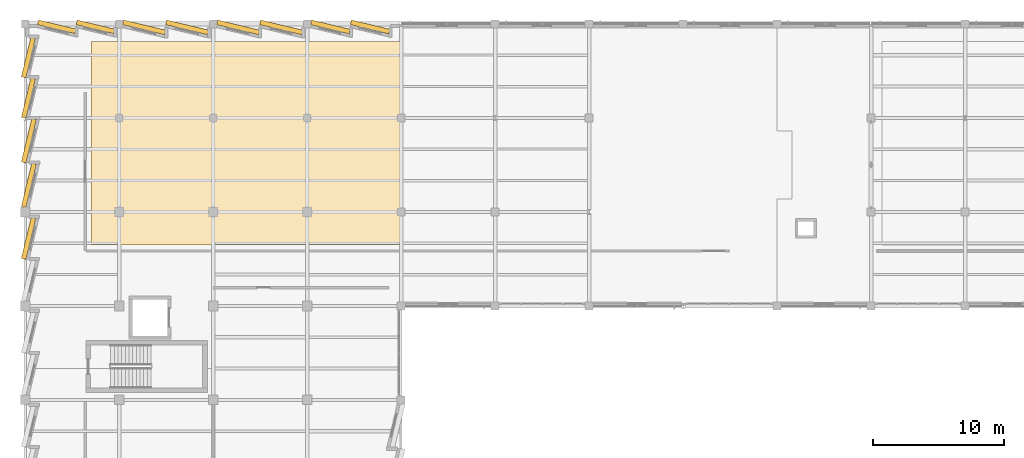
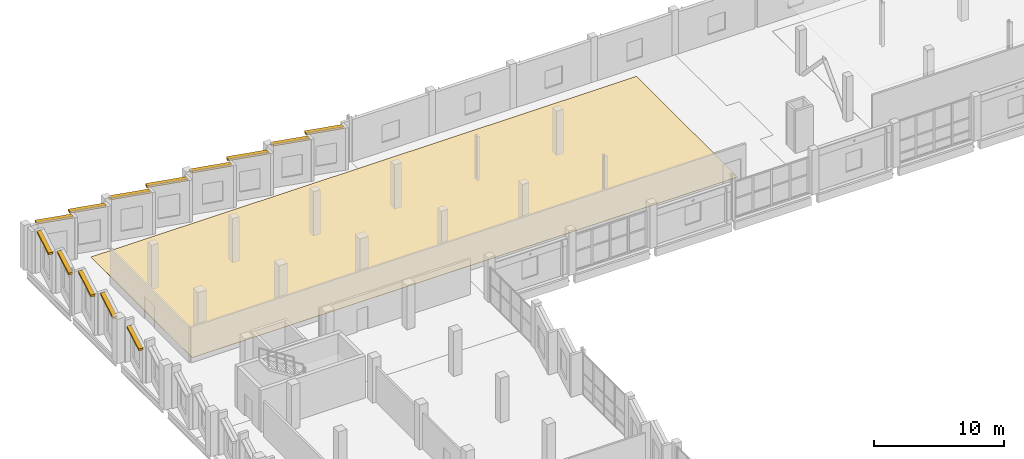
# One storey, part 88 of 94: 13 shading devices, 1 covering.
"""IFC4 building model written with IfcOpenShell, lengths in metres."""

from ifc_helpers import new_model, si_unit, direction, frame, origin, origin_2d, place, context, subcontext, project, spatial, polyline, rectangle, outline, extrude, material, layer, layer_set, type_object, element, save


model = new_model("IFC4")

# Units and contexts
model_context = context("Model", 3, precision=1e-05, world=origin(), true_north=direction((0.0, 1.0)))
body_context = subcontext(model_context, "Body", "Model", "MODEL_VIEW")
ifc_project = project(units=[si_unit("LENGTHUNIT", "METRE"), si_unit("AREAUNIT", "SQUARE_METRE"), si_unit("VOLUMEUNIT", "CUBIC_METRE"), si_unit("PLANEANGLEUNIT", "RADIAN"), si_unit("MASSUNIT", "GRAM", prefix="KILO")], contexts=[model_context])

# Site, building, storey
site_placement = place(None, origin())
site = spatial("IfcSite", under=ifc_project, at=site_placement, CompositionType="ELEMENT")
building_placement = place(site_placement, origin())
building = spatial("IfcBuilding", under=site, at=building_placement, Name="Kalmorath City Hall", CompositionType="ELEMENT")
storey_placement = place(building_placement, frame((0.0, 0.0, 14.699951171875)))
storey = spatial("IfcBuildingStorey", under=building, at=storey_placement, Name="L03", CompositionType="ELEMENT", Elevation=14.699951171875)

# Covering
ifc_material_1 = material(Name="Polished terrazzo finish")
ifc_layer_1 = layer(ifc_material_1, 0.034912109375)
ifc_layer_set_1 = layer_set([ifc_layer_1], Name="Polished terrazzo finish")
covering_type = type_object("IfcCoveringType", Name="Polished civic terrazzo floor finish 35", PredefinedType="FLOORING", material=ifc_layer_set_1)
covering_placement = place(storey_placement, origin())
element("IfcCovering", 1, at=covering_placement, inside=storey, type_object=covering_type, Name="L03 Zoning Board of Appeals Hearing Room terrazzo flooring", PredefinedType="FLOORING", context=body_context, shape_type="SweptSolid", body=[
    extrude(outline(polyline([(5.050048828125, 113.85009765625), (53.550048828125, 113.85009765625), (53.550048828125, 98.25), (5.050048828125, 98.25), (5.050048828125, 113.85009765625)])), origin(), (0.0, 0.0, 1.0), 0.03515625),
])

# Shading devices
ifc_material_2 = material(Name="Precast concrete C40/50", Category="concrete")
ifc_layer_2 = layer(ifc_material_2, 0.179931640625)
ifc_layer_set_2 = layer_set([ifc_layer_2], Name="Precast concrete C40/50")
shading_device_type = type_object("IfcShadingDeviceType", Name="Precast sawtooth brow sunshade 350", PredefinedType="USERDEFINED", material=ifc_layer_set_2)
shading_device_placement = place(storey_placement, frame((0.255859375, 98.765869140625, 3.15625), z_axis=(0.0, 0.0, 1.0), x_axis=(0.233445363856, 0.972369920398, 0.0)))
element("IfcShadingDevice", 2, at=shading_device_placement, inside=storey, type_object=shading_device_type, Name="L03 precast sawtooth hood #309", ObjectType="SUNSHADE", PredefinedType="USERDEFINED", context=body_context, shape_type="SweptSolid", body=[
    extrude(rectangle(XDim=3.220703125, YDim=0.360107421875, at=origin_2d()), origin(), (0.0, 0.0, 1.0), 0.179931640625),
])
for number, where, z_axis, x_axis, name in (
    (3, (0.278564453125, 102.835693359375, 3.740234375), (0.0, 0.0, 1.0), (0.233428392764, 0.97237399464, 0.0), "L03 precast sawtooth hood #310"),
    (4, (0.278564453125, 106.247802734375, 3.740234375), (0.0, 0.0, 1.0), (0.233428392764, 0.97237399464, 0.0), "L03 precast sawtooth hood #311"),
):
    element("IfcShadingDevice", number, at=place(storey_placement, frame(where, z_axis=z_axis, x_axis=x_axis)), inside=storey, type_object=shading_device_type, Name=name, ObjectType="SUNSHADE", PredefinedType="USERDEFINED", context=body_context, shape_type="SweptSolid", body=[
        extrude(rectangle(XDim=3.413818359375, YDim=0.360107421875, at=origin_2d()), origin(), (0.0, 0.0, 1.0), 0.179931640625),
    ])
for number, where, z_axis, x_axis, name in (
    (5, (0.2421875, 109.508544921875, 3.740234375), (0.0, 0.0, 1.0), (0.233445363856, 0.972369920398, 0.0), "L03 precast sawtooth hood #312"),
    (6, (0.2421875, 112.6181640625, 3.740234375), (0.0, 0.0, 1.0), (0.233445363856, 0.972369920398, 0.0), "L03 precast sawtooth hood #313"),
):
    element("IfcShadingDevice", number, at=place(storey_placement, frame(where, z_axis=z_axis, x_axis=x_axis)), inside=storey, type_object=shading_device_type, Name=name, ObjectType="SUNSHADE", PredefinedType="USERDEFINED", context=body_context, shape_type="SweptSolid", body=[
        extrude(rectangle(XDim=3.102783203125, YDim=0.360107421875, at=origin_2d()), origin(), (0.0, 0.0, 1.0), 0.179931640625),
    ])
for number, where, z_axis, x_axis, name in (
    (7, (2.414306640625, 114.975830078125, 3.740234375), (0.0, 0.0, 1.0), (0.972369920398, -0.233445363856, 0.0), "L03 precast sawtooth hood #314"),
    (8, (5.373291015625, 114.975830078125, 3.740234375), (0.0, 0.0, 1.0), (0.972369920398, -0.233445363856, 0.0), "L03 precast sawtooth hood #315"),
):
    element("IfcShadingDevice", number, at=place(storey_placement, frame(where, z_axis=z_axis, x_axis=x_axis)), inside=storey, type_object=shading_device_type, Name=name, ObjectType="SUNSHADE", PredefinedType="USERDEFINED", context=body_context, shape_type="SweptSolid", body=[
        extrude(rectangle(XDim=2.947998046875, YDim=0.360107421875, at=origin_2d()), origin(), (0.0, 0.0, 1.0), 0.179931640625),
    ])
for number, where, z_axis, x_axis, name in (
    (9, (9.104248046875, 114.93505859375, 3.740234375), (0.0, 0.0, 1.0), (0.972369920398, -0.233445363856, 0.0), "L03 precast sawtooth hood #316"),
    (10, (12.4033203125, 114.93505859375, 3.740234375), (0.0, 0.0, 1.0), (0.972369920398, -0.233445363856, 0.0), "L03 precast sawtooth hood #317"),
    (11, (16.30419921875, 114.93505859375, 3.740234375), (0.0, 0.0, 1.0), (0.972369920398, -0.233445363856, 0.0), "L03 precast sawtooth hood #318"),
    (12, (19.603271484375, 114.93505859375, 3.740234375), (0.0, 0.0, 1.0), (0.972369920398, -0.233445363856, 0.0), "L03 precast sawtooth hood #319"),
):
    element("IfcShadingDevice", number, at=place(storey_placement, frame(where, z_axis=z_axis, x_axis=x_axis)), inside=storey, type_object=shading_device_type, Name=name, ObjectType="SUNSHADE", PredefinedType="USERDEFINED", context=body_context, shape_type="SweptSolid", body=[
        extrude(rectangle(XDim=3.297607421875, YDim=0.360107421875, at=origin_2d()), origin(), (0.0, 0.0, 1.0), 0.179931640625),
    ])
for number, where, z_axis, x_axis, name in (
    (13, (23.377685546875, 114.965576171875, 3.740234375), (0.0, 0.0, 1.0), (0.972365845859, -0.233462334877, 0.0), "L03 precast sawtooth hood #320"),
    (14, (26.423095703125, 114.965576171875, 3.740234375), (0.0, 0.0, 1.0), (0.972365845859, -0.233462334877, 0.0), "L03 precast sawtooth hood #321"),
):
    element("IfcShadingDevice", number, at=place(storey_placement, frame(where, z_axis=z_axis, x_axis=x_axis)), inside=storey, type_object=shading_device_type, Name=name, ObjectType="SUNSHADE", PredefinedType="USERDEFINED", context=body_context, shape_type="SweptSolid", body=[
        extrude(rectangle(XDim=3.037109375, YDim=0.360107421875, at=origin_2d()), origin(), (0.0, 0.0, 1.0), 0.179931640625),
    ])

save(model, "model.ifc")
